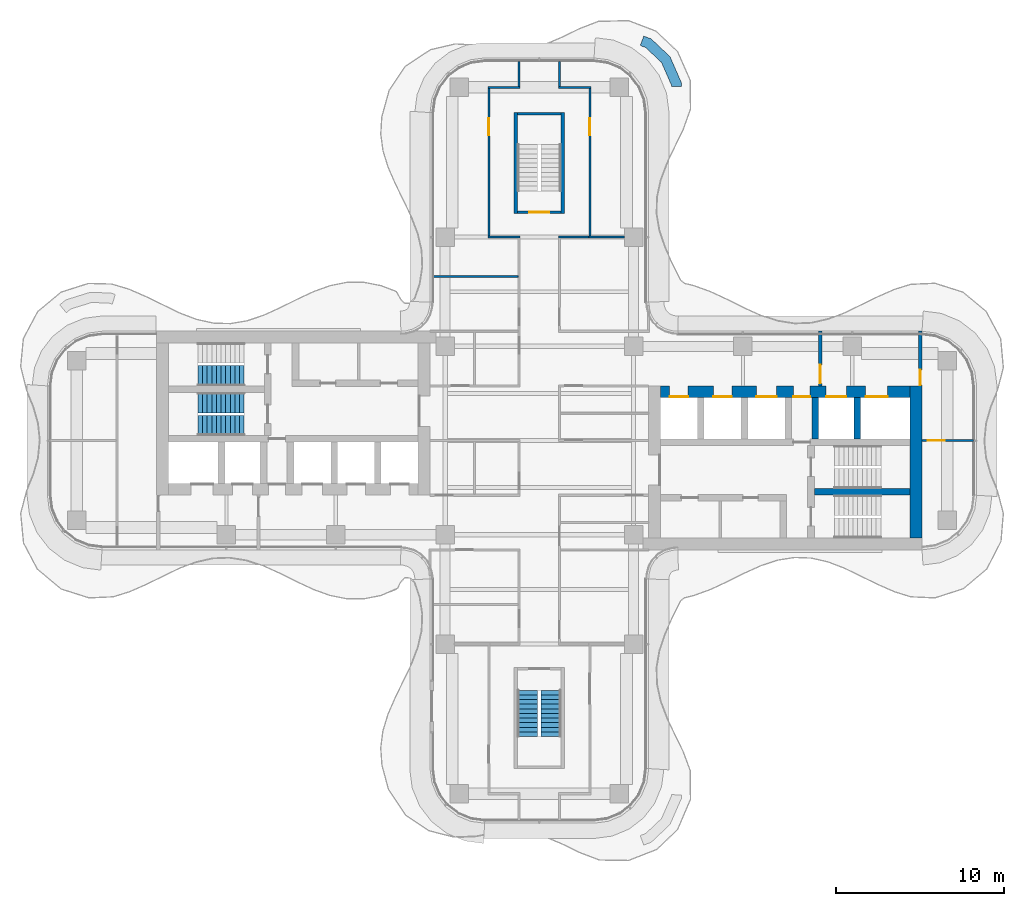
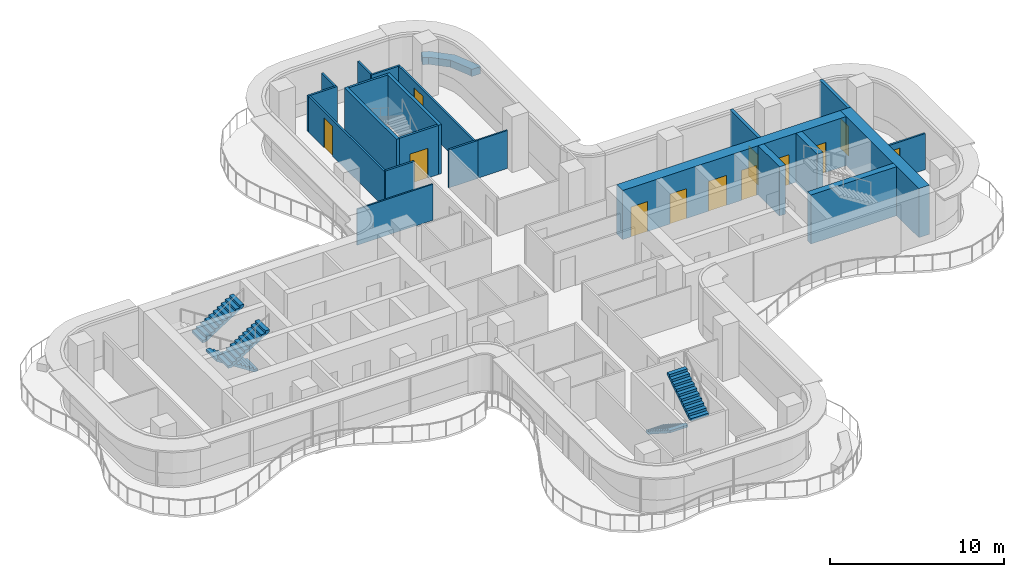
# One storey, part 13 of 16: 23 walls, 12 doors, 5 stair flights, 12 openings, 3 elements without a shape of their own.
"""IFC4 building model written with IfcOpenShell, lengths in metres."""

from ifc_helpers import new_model, si_unit, direction, frame, frame_2d, origin, place, context, subcontext, project, spatial, polyline, rectangle, outline, extrude, source, transform, mapped, material, layer, layer_set, type_object, element, fill, aggregate, save


model = new_model("IFC4")

# Units and contexts
model_context = context("Model", 3, precision=1e-05, world=origin(), true_north=direction((0.0, 1.0)))
body_context = subcontext(model_context, "Body", "Model", "MODEL_VIEW")
ifc_project = project(units=[si_unit("LENGTHUNIT", "METRE"), si_unit("AREAUNIT", "SQUARE_METRE"), si_unit("VOLUMEUNIT", "CUBIC_METRE"), si_unit("PLANEANGLEUNIT", "RADIAN"), si_unit("MASSUNIT", "GRAM", prefix="KILO")], contexts=[model_context])

# Site, building, storey
site_placement = place(None, origin())
site = spatial("IfcSite", under=ifc_project, at=site_placement, CompositionType="ELEMENT")
building_placement = place(site_placement, origin())
building = spatial("IfcBuilding", under=site, at=building_placement, Name="Trellis Farm Tower", CompositionType="ELEMENT")
storey_placement = place(building_placement, frame((0.0, 0.0, 267.5)))
storey = spatial("IfcBuildingStorey", under=building, at=storey_placement, Name="L60", CompositionType="ELEMENT", Elevation=267.5)

# Wall, opening, door
ifc_material_1 = material(Name="Plasterboard on steel studs, mineral wool", Category="steel")
ifc_layer_1 = layer(ifc_material_1, 0.125)
ifc_layer_set_1 = layer_set([ifc_layer_1], Name="PARTITION 125 STUD EI 60")
wall_type_1 = type_object("IfcWallType", Name="PARTITION 125 STUD EI 60", PredefinedType="PARTITIONING", material=ifc_layer_set_1)
wall_1_placement = place(storey_placement, frame((-3.0, 12.16259765625, 0.0), z_axis=(0.0, 0.0, 1.0), x_axis=(0.0, 1.0, 0.0)))
wall_1 = element("IfcWall", 1, at=wall_1_placement, inside=storey, type_object=wall_type_1, Name="Partition PW1", PredefinedType="PARTITIONING", context=body_context, shape_type="SweptSolid", body=[
    extrude(rectangle(XDim=8.77490234375, YDim=0.125, at=frame_2d((4.387451171875, 0.0))), origin(), (0.0, 0.0, 1.0), 2.530029296875),
])
shared_shape_1 = source(origin(), body_context, "Body", "SweptSolid", [
    extrude(rectangle(XDim=1.0, YDim=2.10009765625, at=frame_2d((0.5, 1.050048828125))), frame((0.0, 0.072509765625, 0.0), z_axis=(0.0, -1.0, 0.0), x_axis=(1.0, 0.0, 0.0)), (0.0, 0.0, 1.0), 0.14501953125),
])
opening_1_placement = place(wall_1_placement, frame((5.987548828125, 0.0, 0.0)))
opening_1 = element("IfcOpeningElement", 2, at=opening_1_placement, cuts=wall_1, Name="Opening D117", PredefinedType="OPENING", context=body_context, shape_type="MappedRepresentation", body=[
    mapped(shared_shape_1, transform((0.0, 0.0, 0.0))),
])
ifc_material_2 = material(Name="Fire-rated timber door leaf in a hollow metal frame", Category="wood")
door_type_1 = type_object("IfcDoorType", Name="DOOR 1000x2100 FD30S", OperationType="NOTDEFINED", PredefinedType="DOOR", material=ifc_material_2)
shared_shape_2 = source(origin(), body_context, "Body", "SweptSolid", [
    extrude(rectangle(XDim=1.0, YDim=2.10009765625, at=frame_2d((0.5, 1.050048828125))), frame((0.0, 0.02490234375, 0.0), z_axis=(0.0, -1.0, 0.0), x_axis=(1.0, 0.0, 0.0)), (0.0, 0.0, 1.0), 0.050048828125),
])
door_1_placement = place(opening_1_placement, origin())
door_1 = element("IfcDoor", 3, at=door_1_placement, inside=storey, type_object=door_type_1, Name="Door D117", OperationType="SINGLE_SWING_RIGHT", OverallHeight=2.10009765625, OverallWidth=1.0, PredefinedType="DOOR", context=body_context, shape_type="MappedRepresentation", body=[
    mapped(shared_shape_2, transform((0.0, 0.0, 0.0))),
])
fill(opening_1, door_1)

wall_2_placement = place(storey_placement, frame((25.800048828125, 0.0, 0.0), z_axis=(0.0, 0.0, 1.0), x_axis=(-1.0, 0.0, 0.0)))
wall_2 = element("IfcWall", 4, at=wall_2_placement, inside=storey, type_object=wall_type_1, Name="Partition PW1", PredefinedType="PARTITIONING", context=body_context, shape_type="SweptSolid", body=[
    extrude(rectangle(XDim=3.050048828125, YDim=0.125, at=frame_2d((1.52490234375, 0.0))), origin(), (0.0, 0.0, 1.0), 2.530029296875),
])
opening_2_placement = place(wall_2_placement, frame((1.699951171875, 0.0, 0.0)))
opening_2 = element("IfcOpeningElement", 5, at=opening_2_placement, cuts=wall_2, Name="Opening D110", PredefinedType="OPENING", context=body_context, shape_type="MappedRepresentation", body=[
    mapped(shared_shape_1, transform((0.0, 0.0, 0.0))),
])
door_2_placement = place(opening_2_placement, origin())
door_2 = element("IfcDoor", 6, at=door_2_placement, inside=storey, type_object=door_type_1, Name="Door D110", OperationType="SINGLE_SWING_RIGHT", OverallHeight=2.10009765625, OverallWidth=1.0, PredefinedType="DOOR", context=body_context, shape_type="MappedRepresentation", body=[
    mapped(shared_shape_2, transform((0.0, 0.0, 0.0))),
])
fill(opening_2, door_2)

# Walls
ifc_material_3 = material(Name="Sandstone faced masonry planter", Category="masonry")
ifc_layer_2 = layer(ifc_material_3, 0.60009765625)
ifc_layer_set_2 = layer_set([ifc_layer_2], Name="PLANTER BED 600")
wall_type_2 = type_object("IfcWallType", Name="PLANTER BED 600", PredefinedType="USERDEFINED", material=ifc_layer_set_2)
placement = place(storey_placement, origin())
element("IfcWall", 7, at=placement, inside=storey, type_object=wall_type_2, Name="PLANTER bed", ObjectType="PLANTER", PredefinedType="USERDEFINED", context=body_context, shape_type="SweptSolid", body=[
    extrude(outline(polyline([(6.65087890625, 23.87939453125), (7.76513671875, 22.828857421875), (8.448486328125, 21.268310546875), (8.448974609375, 21.058349609375), (7.84912109375, 21.05712890625), (7.848876953125, 21.14208984375), (7.264404296875, 22.476318359375), (6.325927734375, 23.361083984375), (5.996826171875, 23.486328125), (6.210205078125, 24.047119140625), (6.65087890625, 23.87939453125)])), origin(), (0.0, 0.0, 1.0), 0.5),
])
ifc_material_4 = material(Name="Concrete C60/75", Category="concrete")
ifc_layer_3 = layer(ifc_material_4, 0.699951171875)
ifc_layer_set_3 = layer_set([ifc_layer_3], Name="CORE OUTER WALL 700 CONCRETE C60/75")
wall_type_3 = type_object("IfcWallType", Name="CORE OUTER WALL 700 CONCRETE C60/75", PredefinedType="SHEAR", material=ifc_layer_set_3)
shared_shape_3 = source(origin(), body_context, "Body", "SweptSolid", [
    extrude(rectangle(XDim=9.050048828125, YDim=0.699951171875, at=frame_2d((4.52490234375, 0.0))), origin(), (0.0, 0.0, 1.0), 3.449951171875),
])
wall_4_placement = place(storey_placement, frame((22.39990234375, -5.800048828125, 0.0), z_axis=(0.0, 0.0, 1.0), x_axis=(0.0, 1.0, 0.0)))
element("IfcWall", 8, at=wall_4_placement, inside=storey, type_object=wall_type_3, Name="Core wall", PredefinedType="SHEAR", context=body_context, shape_type="MappedRepresentation", body=[
    mapped(shared_shape_3, transform((0.0, 0.0, 0.0))),
])
ifc_layer_4 = layer(ifc_material_4, 0.39990234375)
ifc_layer_set_4 = layer_set([ifc_layer_4], Name="CORE INNER WALL 400 CONCRETE C60/75")
wall_type_4 = type_object("IfcWallType", Name="CORE INNER WALL 400 CONCRETE C60/75", PredefinedType="SHEAR", material=ifc_layer_set_4)
shared_shape_4 = source(origin(), body_context, "Body", "SweptSolid", [
    extrude(rectangle(XDim=2.449951171875, YDim=0.39990234375, at=frame_2d((1.22509765625, 0.0))), origin(), (0.0, 0.0, 1.0), 3.449951171875),
])
for number, where, z_axis, x_axis, name in (
    (9, (16.39990234375, 0.10009765625, 0.0), (0.0, 0.0, 1.0), (0.0, 1.0, 0.0), "Core wall"),
    (10, (18.89990234375, 0.10009765625, 0.0), (0.0, 0.0, 1.0), (0.0, 1.0, 0.0), "Core wall"),
):
    element("IfcWall", number, at=place(storey_placement, frame(where, z_axis=z_axis, x_axis=x_axis)), inside=storey, type_object=wall_type_4, Name=name, PredefinedType="SHEAR", context=body_context, shape_type="MappedRepresentation", body=[
        mapped(shared_shape_4, transform((0.0, 0.0, 0.0))),
    ])

# Wall, opening, door
ifc_material_5 = material(Name="Masonry blockwork", Category="masonry")
ifc_layer_5 = layer(ifc_material_5, 0.199951171875)
ifc_layer_set_5 = layer_set([ifc_layer_5], Name="FIRE LOBBY PARTITION 200 BLOCKWORK")
wall_type_5 = type_object("IfcWallType", Name="FIRE LOBBY PARTITION 200 BLOCKWORK", PredefinedType="PARTITIONING", material=ifc_layer_set_5)
shared_shape_5 = source(origin(), body_context, "Body", "SweptSolid", [
    extrude(rectangle(XDim=3.25, YDim=0.199951171875, at=frame_2d((1.625, 0.0))), origin(), (0.0, 0.0, 1.0), 3.449951171875),
])
wall_5_placement = place(storey_placement, frame((16.699951171875, 3.25, 0.0), z_axis=(0.0, 0.0, 1.0), x_axis=(0.0, 1.0, 0.0)))
wall_5 = element("IfcWall", 11, at=wall_5_placement, inside=storey, type_object=wall_type_5, Name="Fire-fighting lobby partition", PredefinedType="PARTITIONING", context=body_context, shape_type="MappedRepresentation", body=[
    mapped(shared_shape_5, transform((0.0, 0.0, 0.0))),
])
shared_shape_6 = source(origin(), body_context, "Body", "SweptSolid", [
    extrude(rectangle(XDim=1.10009765625, YDim=2.10009765625, at=frame_2d((0.550048828125, 1.050048828125))), frame((0.0, 0.110107421875, 0.0), z_axis=(0.0, -1.0, 0.0), x_axis=(1.0, 0.0, 0.0)), (0.0, 0.0, 1.0), 0.22021484375),
])
opening_3_placement = place(wall_5_placement, frame((0.14990234375, 0.0, 0.0)))
opening_3 = element("IfcOpeningElement", 12, at=opening_3_placement, cuts=wall_5, Name="Opening DC7", PredefinedType="OPENING", context=body_context, shape_type="MappedRepresentation", body=[
    mapped(shared_shape_6, transform((0.0, 0.0, 0.0))),
])
ifc_material_6 = material(Name="Steel", Category="steel")
door_type_2 = type_object("IfcDoorType", Name="CORE FIRE DOOR 1100 X 2100", OperationType="NOTDEFINED", PredefinedType="DOOR", material=ifc_material_6)
shared_shape_7 = source(origin(), body_context, "Body", "SweptSolid", [
    extrude(rectangle(XDim=1.10009765625, YDim=2.10009765625, at=frame_2d((0.550048828125, 1.050048828125))), frame((0.0, 0.02490234375, 0.0), z_axis=(0.0, -1.0, 0.0), x_axis=(1.0, 0.0, 0.0)), (0.0, 0.0, 1.0), 0.050048828125),
])
door_3_placement = place(opening_3_placement, origin())
door_3 = element("IfcDoor", 13, at=door_3_placement, inside=storey, type_object=door_type_2, Name="Core door", OperationType="SINGLE_SWING_RIGHT", OverallHeight=2.10009765625, OverallWidth=1.10009765625, PredefinedType="DOOR", context=body_context, shape_type="MappedRepresentation", body=[
    mapped(shared_shape_7, transform((0.0, 0.0, 0.0))),
])
fill(opening_3, door_3)

wall_6_placement = place(storey_placement, frame((22.64990234375, 3.25, 0.0), z_axis=(0.0, 0.0, 1.0), x_axis=(0.0, 1.0, 0.0)))
wall_6 = element("IfcWall", 14, at=wall_6_placement, inside=storey, type_object=wall_type_5, Name="Fire-fighting lobby partition", PredefinedType="PARTITIONING", context=body_context, shape_type="MappedRepresentation", body=[
    mapped(shared_shape_5, transform((0.0, 0.0, 0.0))),
])
shared_shape_8 = source(origin(), body_context, "Body", "SweptSolid", [
    extrude(rectangle(XDim=0.89990234375, YDim=2.10009765625, at=frame_2d((0.449951171875, 1.050048828125))), frame((0.0, 0.110107421875, 0.0), z_axis=(0.0, -1.0, 0.0), x_axis=(1.0, 0.0, 0.0)), (0.0, 0.0, 1.0), 0.22021484375),
])
opening_4_placement = place(wall_6_placement, frame((0.050048828125, 0.0, 0.0)))
opening_4 = element("IfcOpeningElement", 15, at=opening_4_placement, cuts=wall_6, Name="Opening DC8", PredefinedType="OPENING", context=body_context, shape_type="MappedRepresentation", body=[
    mapped(shared_shape_8, transform((0.0, 0.0, 0.0))),
])
door_type_3 = type_object("IfcDoorType", Name="CORE FIRE DOOR 900 X 2100", OperationType="NOTDEFINED", PredefinedType="DOOR", material=ifc_material_6)
shared_shape_9 = source(origin(), body_context, "Body", "SweptSolid", [
    extrude(rectangle(XDim=0.89990234375, YDim=2.10009765625, at=frame_2d((0.449951171875, 1.050048828125))), frame((0.0, 0.02490234375, 0.0), z_axis=(0.0, -1.0, 0.0), x_axis=(1.0, 0.0, 0.0)), (0.0, 0.0, 1.0), 0.050048828125),
])
door_4_placement = place(opening_4_placement, origin())
door_4 = element("IfcDoor", 16, at=door_4_placement, inside=storey, type_object=door_type_3, Name="Core door", OperationType="SINGLE_SWING_RIGHT", OverallHeight=2.10009765625, OverallWidth=0.89990234375, PredefinedType="DOOR", context=body_context, shape_type="MappedRepresentation", body=[
    mapped(shared_shape_9, transform((0.0, 0.0, 0.0))),
])
fill(opening_4, door_4)

# Wall, openings, doors
shared_shape_10 = source(origin(), body_context, "Body", "SweptSolid", [
    extrude(rectangle(XDim=14.85009765625, YDim=0.699951171875, at=frame_2d((7.425048828125, 0.0))), origin(), (0.0, 0.0, 1.0), 3.449951171875),
])
wall_7_placement = place(storey_placement, frame((7.199951171875, 2.89990234375, 0.0), z_axis=(0.0, 0.0, 1.0), x_axis=(1.0, 0.0, 0.0)))
wall_7 = element("IfcWall", 17, at=wall_7_placement, inside=storey, type_object=wall_type_3, Name="Core wall", PredefinedType="SHEAR", context=body_context, shape_type="MappedRepresentation", body=[
    mapped(shared_shape_10, transform((0.0, 0.0, 0.0))),
])
shared_shape_11 = source(origin(), body_context, "Body", "SweptSolid", [
    extrude(rectangle(XDim=1.10009765625, YDim=2.10009765625, at=frame_2d((0.550048828125, 1.050048828125))), frame((0.0, 0.360107421875, 0.0), z_axis=(0.0, -1.0, 0.0), x_axis=(1.0, 0.0, 0.0)), (0.0, 0.0, 1.0), 0.72021484375),
])
opening_5_placement = place(wall_7_placement, frame((0.550048828125, 0.0, 0.0)))
opening_5 = element("IfcOpeningElement", 18, at=opening_5_placement, cuts=wall_7, Name="Opening LD4", PredefinedType="OPENING", context=body_context, shape_type="MappedRepresentation", body=[
    mapped(shared_shape_11, transform((0.0, 0.0, 0.0))),
])
opening_6_placement = place(wall_7_placement, frame((3.14990234375, 0.0, 0.0)))
opening_6 = element("IfcOpeningElement", 19, at=opening_6_placement, cuts=wall_7, Name="Opening LD5", PredefinedType="OPENING", context=body_context, shape_type="MappedRepresentation", body=[
    mapped(shared_shape_11, transform((0.0, 0.0, 0.0))),
])
shared_shape_12 = source(origin(), body_context, "Body", "SweptSolid", [
    extrude(rectangle(XDim=1.199951171875, YDim=2.10009765625, at=frame_2d((0.60009765625, 1.050048828125))), frame((0.0, 0.360107421875, 0.0), z_axis=(0.0, -1.0, 0.0), x_axis=(1.0, 0.0, 0.0)), (0.0, 0.0, 1.0), 0.72021484375),
])
opening_7_placement = place(wall_7_placement, frame((5.699951171875, 0.0, 0.0)))
opening_7 = element("IfcOpeningElement", 20, at=opening_7_placement, cuts=wall_7, Name="Opening LD6", PredefinedType="OPENING", context=body_context, shape_type="MappedRepresentation", body=[
    mapped(shared_shape_12, transform((0.0, 0.0, 0.0))),
])
shared_shape_13 = source(origin(), body_context, "Body", "SweptSolid", [
    extrude(rectangle(XDim=1.300048828125, YDim=2.10009765625, at=frame_2d((0.64990234375, 1.050048828125))), frame((0.0, 0.360107421875, 0.0), z_axis=(0.0, -1.0, 0.0), x_axis=(1.0, 0.0, 0.0)), (0.0, 0.0, 1.0), 0.72021484375),
])
opening_8_placement = place(wall_7_placement, frame((12.199951171875, 0.0, 0.0)))
opening_8 = element("IfcOpeningElement", 21, at=opening_8_placement, cuts=wall_7, Name="Opening LD7", PredefinedType="OPENING", context=body_context, shape_type="MappedRepresentation", body=[
    mapped(shared_shape_13, transform((0.0, 0.0, 0.0))),
])
opening_9_placement = place(wall_7_placement, frame((9.85009765625, 0.0, 0.0)))
opening_9 = element("IfcOpeningElement", 22, at=opening_9_placement, cuts=wall_7, Name="Opening LD8", PredefinedType="OPENING", context=body_context, shape_type="MappedRepresentation", body=[
    mapped(shared_shape_12, transform((0.0, 0.0, 0.0))),
])
shared_shape_14 = source(origin(), body_context, "Body", "SweptSolid", [
    extrude(rectangle(XDim=1.0, YDim=2.10009765625, at=frame_2d((0.5, 1.050048828125))), frame((0.0, 0.360107421875, 0.0), z_axis=(0.0, -1.0, 0.0), x_axis=(1.0, 0.0, 0.0)), (0.0, 0.0, 1.0), 0.72021484375),
])
opening_10_placement = place(wall_7_placement, frame((7.89990234375, 0.0, 0.0)))
opening_10 = element("IfcOpeningElement", 23, at=opening_10_placement, cuts=wall_7, Name="Opening DC6", PredefinedType="OPENING", context=body_context, shape_type="MappedRepresentation", body=[
    mapped(shared_shape_14, transform((0.0, 0.0, 0.0))),
])
door_type_4 = type_object("IfcDoorType", Name="CORE FIRE DOOR 1000 X 2100", OperationType="NOTDEFINED", PredefinedType="DOOR", material=ifc_material_6)
shared_shape_15 = source(origin(), body_context, "Body", "SweptSolid", [
    extrude(rectangle(XDim=1.0, YDim=2.10009765625, at=frame_2d((0.5, 1.050048828125))), frame((0.0, -0.27490234375, 0.0), z_axis=(0.0, -1.0, 0.0), x_axis=(1.0, 0.0, 0.0)), (0.0, 0.0, 1.0), 0.050048828125),
])
door_5_placement = place(opening_10_placement, origin())
door_5 = element("IfcDoor", 24, at=door_5_placement, inside=storey, type_object=door_type_4, Name="Core door", OperationType="SINGLE_SWING_LEFT", OverallHeight=2.10009765625, OverallWidth=1.0, PredefinedType="DOOR", context=body_context, shape_type="MappedRepresentation", body=[
    mapped(shared_shape_15, transform((0.0, 0.0, 0.0))),
])
fill(opening_10, door_5)
ifc_material_7 = material(Name="Stainless steel", Category="steel")
door_type_5 = type_object("IfcDoorType", Name="LIFT LANDING DOOR 1300 X 2100", OperationType="DOUBLE_DOOR_SLIDING", PredefinedType="DOOR", material=ifc_material_7)
shared_shape_16 = source(origin(), body_context, "Body", "SweptSolid", [
    extrude(rectangle(XDim=1.300048828125, YDim=2.10009765625, at=frame_2d((0.64990234375, 1.050048828125))), frame((0.0, -0.27490234375, 0.0), z_axis=(0.0, -1.0, 0.0), x_axis=(1.0, 0.0, 0.0)), (0.0, 0.0, 1.0), 0.050048828125),
])
door_6_placement = place(opening_8_placement, origin())
door_6 = element("IfcDoor", 25, at=door_6_placement, inside=storey, type_object=door_type_5, Name="Lift landing door", OperationType="DOUBLE_DOOR_SLIDING", OverallHeight=2.10009765625, OverallWidth=1.300048828125, PredefinedType="DOOR", context=body_context, shape_type="MappedRepresentation", body=[
    mapped(shared_shape_16, transform((0.0, 0.0, 0.0))),
])
fill(opening_8, door_6)
door_type_6 = type_object("IfcDoorType", Name="LIFT LANDING DOOR 1200 X 2100", OperationType="DOUBLE_DOOR_SLIDING", PredefinedType="DOOR", material=ifc_material_7)
shared_shape_17 = source(origin(), body_context, "Body", "SweptSolid", [
    extrude(rectangle(XDim=1.199951171875, YDim=2.10009765625, at=frame_2d((0.60009765625, 1.050048828125))), frame((0.0, -0.27490234375, 0.0), z_axis=(0.0, -1.0, 0.0), x_axis=(1.0, 0.0, 0.0)), (0.0, 0.0, 1.0), 0.050048828125),
])
door_7_placement = place(opening_7_placement, origin())
door_7 = element("IfcDoor", 26, at=door_7_placement, inside=storey, type_object=door_type_6, Name="Lift landing door", OperationType="DOUBLE_DOOR_SLIDING", OverallHeight=2.10009765625, OverallWidth=1.199951171875, PredefinedType="DOOR", context=body_context, shape_type="MappedRepresentation", body=[
    mapped(shared_shape_17, transform((0.0, 0.0, 0.0))),
])
fill(opening_7, door_7)
door_8_placement = place(opening_9_placement, origin())
door_8 = element("IfcDoor", 27, at=door_8_placement, inside=storey, type_object=door_type_6, Name="Lift landing door", OperationType="DOUBLE_DOOR_SLIDING", OverallHeight=2.10009765625, OverallWidth=1.199951171875, PredefinedType="DOOR", context=body_context, shape_type="MappedRepresentation", body=[
    mapped(shared_shape_17, transform((0.0, 0.0, 0.0))),
])
fill(opening_9, door_8)
door_type_7 = type_object("IfcDoorType", Name="LIFT LANDING DOOR 1100 X 2100", OperationType="DOUBLE_DOOR_SLIDING", PredefinedType="DOOR", material=ifc_material_7)
shared_shape_18 = source(origin(), body_context, "Body", "SweptSolid", [
    extrude(rectangle(XDim=1.10009765625, YDim=2.10009765625, at=frame_2d((0.550048828125, 1.050048828125))), frame((0.0, -0.27490234375, 0.0), z_axis=(0.0, -1.0, 0.0), x_axis=(1.0, 0.0, 0.0)), (0.0, 0.0, 1.0), 0.050048828125),
])
door_9_placement = place(opening_5_placement, origin())
door_9 = element("IfcDoor", 28, at=door_9_placement, inside=storey, type_object=door_type_7, Name="Lift landing door", OperationType="DOUBLE_DOOR_SLIDING", OverallHeight=2.10009765625, OverallWidth=1.10009765625, PredefinedType="DOOR", context=body_context, shape_type="MappedRepresentation", body=[
    mapped(shared_shape_18, transform((0.0, 0.0, 0.0))),
])
fill(opening_5, door_9)
door_10_placement = place(opening_6_placement, origin())
door_10 = element("IfcDoor", 29, at=door_10_placement, inside=storey, type_object=door_type_7, Name="Lift landing door", OperationType="DOUBLE_DOOR_SLIDING", OverallHeight=2.10009765625, OverallWidth=1.10009765625, PredefinedType="DOOR", context=body_context, shape_type="MappedRepresentation", body=[
    mapped(shared_shape_18, transform((0.0, 0.0, 0.0))),
])
fill(opening_6, door_10)

# Walls
shared_shape_19 = source(origin(), body_context, "Body", "SweptSolid", [
    extrude(rectangle(XDim=5.699951171875, YDim=0.39990234375, at=frame_2d((2.85009765625, 0.0))), origin(), (0.0, 0.0, 1.0), 3.449951171875),
])
wall_8_placement = place(storey_placement, frame((16.35009765625, -3.050048828125, 0.0), z_axis=(0.0, 0.0, 1.0), x_axis=(1.0, 0.0, 0.0)))
element("IfcWall", 30, at=wall_8_placement, inside=storey, type_object=wall_type_4, Name="Core wall", PredefinedType="SHEAR", context=body_context, shape_type="MappedRepresentation", body=[
    mapped(shared_shape_19, transform((0.0, 0.0, 0.0))),
])
ifc_layer_6 = layer(ifc_material_4, 0.199951171875)
ifc_layer_set_6 = layer_set([ifc_layer_6], Name="CORE STAIR ENCLOSURE WALL 200 CONCRETE C60/75")
wall_type_6 = type_object("IfcWallType", Name="CORE STAIR ENCLOSURE WALL 200 CONCRETE C60/75", PredefinedType="SHEAR", material=ifc_layer_set_6)
shared_shape_20 = source(origin(), body_context, "Body", "SweptSolid", [
    extrude(rectangle(XDim=6.0, YDim=0.199951171875, at=frame_2d((3.0, 0.0))), origin(), (0.0, 0.0, 1.0), 3.449951171875),
])
for number, where, z_axis, x_axis, name in (
    (31, (-1.39990234375, 13.5, 0.0), (0.0, 0.0, 1.0), (0.0, 1.0, 0.0), "Stair enclosure wall"),
    (32, (1.39990234375, 13.5, 0.0), (0.0, 0.0, 1.0), (0.0, 1.0, 0.0), "Stair enclosure wall"),
):
    element("IfcWall", number, at=place(storey_placement, frame(where, z_axis=z_axis, x_axis=x_axis)), inside=storey, type_object=wall_type_6, Name=name, PredefinedType="SHEAR", context=body_context, shape_type="MappedRepresentation", body=[
        mapped(shared_shape_20, transform((0.0, 0.0, 0.0))),
    ])

# Wall, opening, door
ifc_layer_7 = layer(ifc_material_4, 0.14990234375)
ifc_layer_set_7 = layer_set([ifc_layer_7], Name="CORE STAIR ENCLOSURE WALL 150 CONCRETE C60/75")
wall_type_7 = type_object("IfcWallType", Name="CORE STAIR ENCLOSURE WALL 150 CONCRETE C60/75", PredefinedType="SHEAR", material=ifc_layer_set_7)
shared_shape_21 = source(origin(), body_context, "Body", "SweptSolid", [
    extrude(rectangle(XDim=2.60009765625, YDim=0.14990234375, at=frame_2d((1.300048828125, 0.0))), origin(), (0.0, 0.0, 1.0), 3.449951171875),
])
wall_9_placement = place(storey_placement, frame((-1.300048828125, 13.574951171875, 0.0), z_axis=(0.0, 0.0, 1.0), x_axis=(1.0, 0.0, 0.0)))
wall_9 = element("IfcWall", 33, at=wall_9_placement, inside=storey, type_object=wall_type_7, Name="Stair enclosure wall", PredefinedType="SHEAR", context=body_context, shape_type="MappedRepresentation", body=[
    mapped(shared_shape_21, transform((0.0, 0.0, 0.0))),
])
shared_shape_22 = source(origin(), body_context, "Body", "SweptSolid", [
    extrude(rectangle(XDim=1.199951171875, YDim=2.10009765625, at=frame_2d((0.60009765625, 1.050048828125))), frame((0.0, 0.0849609375, 0.0), z_axis=(0.0, -1.0, 0.0), x_axis=(1.0, 0.0, 0.0)), (0.0, 0.0, 1.0), 0.169921875),
])
opening_11_placement = place(wall_9_placement, frame((0.699951171875, 0.0, 0.0)))
opening_11 = element("IfcOpeningElement", 34, at=opening_11_placement, cuts=wall_9, Name="Opening DC173", PredefinedType="OPENING", context=body_context, shape_type="MappedRepresentation", body=[
    mapped(shared_shape_22, transform((0.0, 0.0, 0.0))),
])
door_type_8 = type_object("IfcDoorType", Name="CORE FIRE DOOR 1200 X 2100", OperationType="NOTDEFINED", PredefinedType="DOOR", material=ifc_material_6)
shared_shape_23 = source(origin(), body_context, "Body", "SweptSolid", [
    extrude(rectangle(XDim=1.199951171875, YDim=2.10009765625, at=frame_2d((0.60009765625, 1.050048828125))), frame((0.0, 0.02490234375, 0.0), z_axis=(0.0, -1.0, 0.0), x_axis=(1.0, 0.0, 0.0)), (0.0, 0.0, 1.0), 0.050048828125),
])
door_11_placement = place(opening_11_placement, origin())
door_11 = element("IfcDoor", 35, at=door_11_placement, inside=storey, type_object=door_type_8, Name="Core door", OperationType="SINGLE_SWING_LEFT", OverallHeight=2.10009765625, OverallWidth=1.199951171875, PredefinedType="DOOR", context=body_context, shape_type="MappedRepresentation", body=[
    mapped(shared_shape_23, transform((0.0, 0.0, 0.0))),
])
fill(opening_11, door_11)

# Wall
wall_10_placement = place(storey_placement, frame((-1.300048828125, 19.425048828125, 0.0), z_axis=(0.0, 0.0, 1.0), x_axis=(1.0, 0.0, 0.0)))
element("IfcWall", 36, at=wall_10_placement, inside=storey, type_object=wall_type_7, Name="Stair enclosure wall", PredefinedType="SHEAR", context=body_context, shape_type="MappedRepresentation", body=[
    mapped(shared_shape_21, transform((0.0, 0.0, 0.0))),
])

# Wall, opening, door
shared_shape_24 = source(origin(), body_context, "Body", "SweptSolid", [
    extrude(rectangle(XDim=8.78759765625, YDim=0.125, at=frame_2d((4.393798828125, 0.0))), origin(), (0.0, 0.0, 1.0), 2.530029296875),
])
wall_11_placement = place(storey_placement, frame((3.0, 20.9375, 0.0), z_axis=(0.0, 0.0, 1.0), x_axis=(0.0, -1.0, 0.0)))
wall_11 = element("IfcWall", 37, at=wall_11_placement, inside=storey, type_object=wall_type_1, Name="Partition PW1", PredefinedType="PARTITIONING", context=body_context, shape_type="MappedRepresentation", body=[
    mapped(shared_shape_24, transform((0.0, 0.0, 0.0))),
])
opening_12_placement = place(wall_11_placement, frame((1.78759765625, 0.0, 0.0)))
opening_12 = element("IfcOpeningElement", 38, at=opening_12_placement, cuts=wall_11, Name="Opening D118", PredefinedType="OPENING", context=body_context, shape_type="MappedRepresentation", body=[
    mapped(shared_shape_1, transform((0.0, 0.0, 0.0))),
])
door_12_placement = place(opening_12_placement, origin())
door_12 = element("IfcDoor", 39, at=door_12_placement, inside=storey, type_object=door_type_1, Name="Door D118", OperationType="SINGLE_SWING_LEFT", OverallHeight=2.10009765625, OverallWidth=1.0, PredefinedType="DOOR", context=body_context, shape_type="MappedRepresentation", body=[
    mapped(shared_shape_2, transform((0.0, 0.0, 0.0))),
])
fill(opening_12, door_12)

# Walls
shared_shape_25 = source(origin(), body_context, "Body", "SweptSolid", [
    extrude(rectangle(XDim=1.487548828125, YDim=0.125, at=frame_2d((0.74365234375, 0.0))), origin(), (0.0, 0.0, 1.0), 2.530029296875),
])
for number, where, z_axis, x_axis, name in (
    (40, (-1.199951171875, 22.550048828125, 0.0), (0.0, 0.0, 1.0), (0.0, -1.0, 0.0), "Partition PW1"),
    (41, (1.199951171875, 22.550048828125, 0.0), (0.0, 0.0, 1.0), (0.0, -1.0, 0.0), "Partition PW1"),
):
    element("IfcWall", number, at=place(storey_placement, frame(where, z_axis=z_axis, x_axis=x_axis)), inside=storey, type_object=wall_type_1, Name=name, PredefinedType="PARTITIONING", context=body_context, shape_type="MappedRepresentation", body=[
        mapped(shared_shape_25, transform((0.0, 0.0, 0.0))),
    ])
shared_shape_26 = source(origin(), body_context, "Body", "SweptSolid", [
    extrude(rectangle(XDim=1.925048828125, YDim=0.125, at=frame_2d((0.96240234375, 0.0))), origin(), (0.0, 0.0, 1.0), 2.530029296875),
])
for number, where, z_axis, x_axis, name in (
    (42, (-3.0625, 21.0, 0.0), (0.0, 0.0, 1.0), (1.0, 0.0, 0.0), "Partition PW1"),
    (43, (1.137451171875, 21.0, 0.0), (0.0, 0.0, 1.0), (1.0, 0.0, 0.0), "Partition PW1"),
):
    element("IfcWall", number, at=place(storey_placement, frame(where, z_axis=z_axis, x_axis=x_axis)), inside=storey, type_object=wall_type_1, Name=name, PredefinedType="PARTITIONING", context=body_context, shape_type="MappedRepresentation", body=[
        mapped(shared_shape_26, transform((0.0, 0.0, 0.0))),
    ])
ifc_material_8 = material(Name="Plasterboard on steel studs", Category="steel")
ifc_layer_8 = layer(ifc_material_8, 0.10009765625)
ifc_layer_set_8 = layer_set([ifc_layer_8], Name="PARTITION 100 STUD EI 30")
wall_type_8 = type_object("IfcWallType", Name="PARTITION 100 STUD EI 30", PredefinedType="PARTITIONING", material=ifc_layer_set_8)
shared_shape_27 = source(origin(), body_context, "Body", "SweptSolid", [
    extrude(rectangle(XDim=2.112548828125, YDim=0.10009765625, at=frame_2d((1.05615234375, 0.0))), origin(), (0.0, 0.0, 1.0), 2.667724609375),
])
wall_12_placement = place(storey_placement, frame((2.9375, 12.10009765625, 0.0), z_axis=(0.0, 0.0, 1.0), x_axis=(1.0, 0.0, 0.0)))
element("IfcWall", 44, at=wall_12_placement, inside=storey, type_object=wall_type_8, Name="Partition PW2", PredefinedType="PARTITIONING", context=body_context, shape_type="MappedRepresentation", body=[
    mapped(shared_shape_27, transform((0.0, 0.0, 0.0))),
])
shared_shape_28 = source(origin(), body_context, "Body", "SweptSolid", [
    extrude(rectangle(XDim=1.925048828125, YDim=0.125, at=frame_2d((0.96240234375, 0.0))), origin(), (0.0, 0.0, 1.0), 2.667724609375),
])
for number, where, z_axis, x_axis, name in (
    (45, (-1.137451171875, 12.10009765625, 0.0), (0.0, 0.0, 1.0), (-1.0, 0.0, 0.0), "Partition PW1"),
    (46, (3.0625, 12.10009765625, 0.0), (0.0, 0.0, 1.0), (-1.0, 0.0, 0.0), "Partition PW1"),
):
    element("IfcWall", number, at=place(storey_placement, frame(where, z_axis=z_axis, x_axis=x_axis)), inside=storey, type_object=wall_type_1, Name=name, PredefinedType="PARTITIONING", context=body_context, shape_type="MappedRepresentation", body=[
        mapped(shared_shape_28, transform((0.0, 0.0, 0.0))),
    ])
shared_shape_29 = source(origin(), body_context, "Body", "SweptSolid", [
    extrude(rectangle(XDim=5.03759765625, YDim=0.10009765625, at=frame_2d((2.518798828125, 0.0))), origin(), (0.0, 0.0, 1.0), 2.530029296875),
])
wall_13_placement = place(storey_placement, frame((-6.300048828125, 9.75, 0.0), z_axis=(0.0, 0.0, 1.0), x_axis=(1.0, 0.0, 0.0)))
element("IfcWall", 47, at=wall_13_placement, inside=storey, type_object=wall_type_8, Name="Partition PW2", PredefinedType="PARTITIONING", context=body_context, shape_type="MappedRepresentation", body=[
    mapped(shared_shape_29, transform((0.0, 0.0, 0.0))),
])

# Stair, stair flights
ifc_material_9 = material(Name="Concrete C50/60", Category="concrete")
stair_type = type_object("IfcStairType", Name="CORE EXIT STAIR 22 RISERS 177 MM", PredefinedType="HALF_TURN_STAIR", material=ifc_material_9)
stair_1 = element("IfcStair", 48, at=placement, inside=storey, type_object=stair_type, Name="Exit stair S", PredefinedType="HALF_TURN_STAIR")
stair_flight_type = type_object("IfcStairFlightType", Name="STAIR FLIGHT 11 RISERS 177 MM", PredefinedType="STRAIGHT", material=ifc_material_9)
shared_shape_30 = source(origin(), body_context, "Body", "SweptSolid", [
    extrude(outline(polyline([(0.0, 0.0), (0.0, 0.17724609375), (0.27490234375, 0.17724609375), (0.27490234375, 0.3544921875), (0.550048828125, 0.3544921875), (0.550048828125, 0.53173828125), (0.824951171875, 0.53173828125), (0.824951171875, 0.708984375), (1.10009765625, 0.708984375), (1.10009765625, 0.886474609375), (1.375, 0.886474609375), (1.375, 1.063720703125), (1.64990234375, 1.063720703125), (1.64990234375, 1.240966796875), (1.925048828125, 1.240966796875), (1.925048828125, 1.418212890625), (2.199951171875, 1.418212890625), (2.199951171875, 1.595458984375), (2.47509765625, 1.595458984375), (2.47509765625, 1.772705078125), (2.75, 1.772705078125), (2.75, 1.949951171875), (2.75, 1.6181640625), (0.23974609375, 0.0), (0.0, 0.0)])), frame((0.0, 0.60009765625, 0.0), z_axis=(0.0, -1.0, 0.0), x_axis=(1.0, 0.0, 0.0)), (0.0, 0.0, 1.0), 1.199951171875),
])
stair_flight_1_placement = place(storey_placement, frame((-0.699951171875, -14.85009765625, 0.0), z_axis=(0.0, 0.0, 1.0), x_axis=(0.0, -1.0, 0.0)))
stair_flight_1 = element("IfcStairFlight", 49, at=stair_flight_1_placement, type_object=stair_flight_type, Name="STS flight 1", NumberOfRisers=11, NumberOfTreads=10, PredefinedType="STRAIGHT", RiserHeight=0.177272727, TreadLength=0.275, context=body_context, shape_type="MappedRepresentation", body=[
    mapped(shared_shape_30, transform((0.0, 0.0, 0.0))),
])
stair_flight_2_placement = place(storey_placement, frame((0.699951171875, -17.60009765625, 1.949951171875), z_axis=(0.0, 0.0, 1.0), x_axis=(0.0, 1.0, 0.0)))
stair_flight_2 = element("IfcStairFlight", 50, at=stair_flight_2_placement, type_object=stair_flight_type, Name="STS flight 2", NumberOfRisers=11, NumberOfTreads=10, PredefinedType="STRAIGHT", RiserHeight=0.177272727, TreadLength=0.275, context=body_context, shape_type="MappedRepresentation", body=[
    mapped(shared_shape_30, transform((0.0, 0.0, 0.0))),
])
aggregate(stair_1, [stair_flight_1, stair_flight_2])

# Stair, stair flight
stair_2 = element("IfcStair", 51, at=placement, inside=storey, type_object=stair_type, Name="Exit stair W1", PredefinedType="HALF_TURN_STAIR")
stair_flight_3_placement = place(storey_placement, frame((-20.300048828125, 3.85009765625, 1.949951171875), z_axis=(0.0, 0.0, 1.0), x_axis=(1.0, 0.0, 0.0)))
stair_flight_3 = element("IfcStairFlight", 52, at=stair_flight_3_placement, type_object=stair_flight_type, Name="STW1 flight 2", NumberOfRisers=11, NumberOfTreads=10, PredefinedType="STRAIGHT", RiserHeight=0.177272727, TreadLength=0.275, context=body_context, shape_type="MappedRepresentation", body=[
    mapped(shared_shape_30, transform((0.0, 0.0, 0.0))),
])
aggregate(stair_2, [stair_flight_3])

# Stair, stair flights
stair_3 = element("IfcStair", 53, at=placement, inside=storey, type_object=stair_type, Name="Exit stair W2", PredefinedType="HALF_TURN_STAIR")
stair_flight_4_placement = place(storey_placement, frame((-17.550048828125, 2.25, 0.0), z_axis=(0.0, 0.0, 1.0), x_axis=(-1.0, 0.0, 0.0)))
stair_flight_4 = element("IfcStairFlight", 54, at=stair_flight_4_placement, type_object=stair_flight_type, Name="STW2 flight 1", NumberOfRisers=11, NumberOfTreads=10, PredefinedType="STRAIGHT", RiserHeight=0.177272727, TreadLength=0.275, context=body_context, shape_type="MappedRepresentation", body=[
    mapped(shared_shape_30, transform((0.0, 0.0, 0.0))),
])
stair_flight_5_placement = place(storey_placement, frame((-20.300048828125, 0.89990234375, 1.949951171875), z_axis=(0.0, 0.0, 1.0), x_axis=(1.0, 0.0, 0.0)))
stair_flight_5 = element("IfcStairFlight", 55, at=stair_flight_5_placement, type_object=stair_flight_type, Name="STW2 flight 2", NumberOfRisers=11, NumberOfTreads=10, PredefinedType="STRAIGHT", RiserHeight=0.177272727, TreadLength=0.275, context=body_context, shape_type="MappedRepresentation", body=[
    mapped(shared_shape_30, transform((0.0, 0.0, 0.0))),
])
aggregate(stair_3, [stair_flight_4, stair_flight_5])

save(model, "model.ifc")
